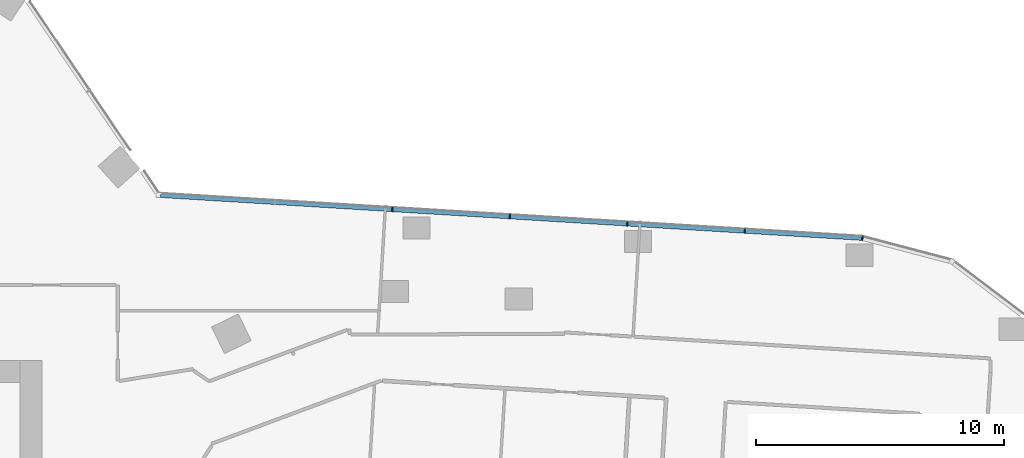
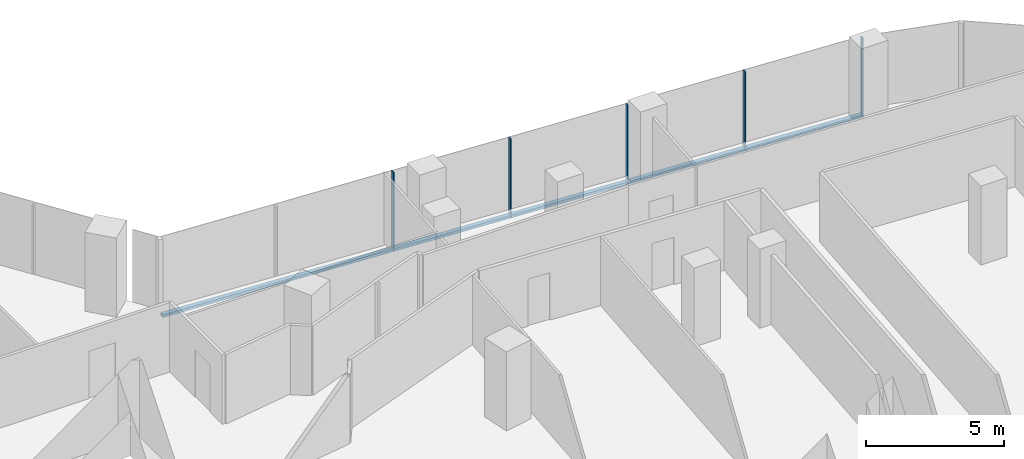
# One storey, part 14 of 32: 6 members, 2 elements without a shape of their own.
"""IFC4 building model written with IfcOpenShell, lengths in metres."""

from ifc_helpers import new_model, si_unit, direction, frame, origin, origin_2d, place, context, subcontext, project, spatial, rectangle, extrude, material, material_profile, profile_set, type_object, element, aggregate, save


model = new_model("IFC4")

# Units and contexts
model_context = context("Model", 3, precision=1e-05, world=origin(), true_north=direction((0.0, 1.0)))
body_context = subcontext(model_context, "Body", "Model", "MODEL_VIEW")
ifc_project = project(units=[si_unit("LENGTHUNIT", "METRE"), si_unit("AREAUNIT", "SQUARE_METRE"), si_unit("VOLUMEUNIT", "CUBIC_METRE"), si_unit("PLANEANGLEUNIT", "RADIAN"), si_unit("MASSUNIT", "GRAM", prefix="KILO")], contexts=[model_context])

# Site, building, storey
site_placement = place(None, origin())
site = spatial("IfcSite", under=ifc_project, at=site_placement, CompositionType="ELEMENT")
building_placement = place(site_placement, origin())
building = spatial("IfcBuilding", under=site, at=building_placement, Name="Orlundy Tower", CompositionType="ELEMENT")
storey_placement = place(building_placement, frame((0.0, 0.0, 152.60009765625)))
storey = spatial("IfcBuildingStorey", under=building, at=storey_placement, Name="L39", CompositionType="ELEMENT", Elevation=152.60009765625)

# Curtain wall, members
ifc_material_1 = material(Name="Aluminium bronze anodised", Category="aluminium")
curtain_wall_type = type_object("IfcCurtainWallType", Name="CW1 wall", PredefinedType="NOTDEFINED", material=ifc_material_1)
curtain_wall_1_placement = place(storey_placement, origin())
curtain_wall_1 = element("IfcCurtainWall", 1, at=curtain_wall_1_placement, inside=storey, type_object=curtain_wall_type, Name="CW1 run 018", PredefinedType="NOTDEFINED")
ifc_material_2 = material(Name="Aluminium bronze anodised", Category="aluminium")
ifc_material_profile_1 = material_profile(ifc_material_2, rectangle(XDim=0.179931640625, YDim=0.050048828125, at=origin_2d()), Name="CW1 mullion 50x180")
ifc_profile_set_1 = profile_set([ifc_material_profile_1], Name="Aluminium bronze anodised")
member_type_1 = type_object("IfcMemberType", Name="CW1 mullion 50x180", PredefinedType="MULLION", material=ifc_profile_set_1)
member_1_placement = place(storey_placement, frame((33.1455078125, 18.10009765625, -0.400146484375), z_axis=(0.0, 0.0, 1.0), x_axis=(0.061053768107, 0.998134478615, 0.0)))
member_1 = element("IfcMember", 2, at=member_1_placement, type_object=member_type_1, Name="CW1 mullion 53", PredefinedType="MULLION", context=body_context, shape_type="SweptSolid", body=[
    extrude(rectangle(XDim=0.179931640625, YDim=0.050048828125, at=origin_2d()), origin(), (0.0, 0.0, 1.0), 3.5),
])
member_2_placement = place(storey_placement, frame((37.89208984375, 17.809814453125, -0.400146484375), z_axis=(0.0, 0.0, 1.0), x_axis=(0.061053768107, 0.998134478615, 0.0)))
member_2 = element("IfcMember", 3, at=member_2_placement, type_object=member_type_1, Name="CW1 mullion 54", PredefinedType="MULLION", context=body_context, shape_type="SweptSolid", body=[
    extrude(rectangle(XDim=0.179931640625, YDim=0.050048828125, at=origin_2d()), origin(), (0.0, 0.0, 1.0), 3.5),
])
member_3_placement = place(storey_placement, frame((42.638427734375, 17.51953125, -0.400146484375), z_axis=(0.0, 0.0, 1.0), x_axis=(0.061053768107, 0.998134478615, 0.0)))
member_3 = element("IfcMember", 4, at=member_3_placement, type_object=member_type_1, Name="CW1 mullion 55", PredefinedType="MULLION", context=body_context, shape_type="SweptSolid", body=[
    extrude(rectangle(XDim=0.179931640625, YDim=0.050048828125, at=origin_2d()), origin(), (0.0, 0.0, 1.0), 3.5),
])
member_4_placement = place(storey_placement, frame((47.385009765625, 17.229248046875, -0.400146484375), z_axis=(0.0, 0.0, 1.0), x_axis=(0.061053768107, 0.998134478615, 0.0)))
member_4 = element("IfcMember", 5, at=member_4_placement, type_object=member_type_1, Name="CW1 mullion 56", PredefinedType="MULLION", context=body_context, shape_type="SweptSolid", body=[
    extrude(rectangle(XDim=0.179931640625, YDim=0.050048828125, at=origin_2d()), origin(), (0.0, 0.0, 1.0), 3.5),
])

# Curtain wall, member
curtain_wall_2_placement = place(storey_placement, origin())
curtain_wall_2 = element("IfcCurtainWall", 6, at=curtain_wall_2_placement, inside=storey, type_object=curtain_wall_type, Name="CW1 run 019", PredefinedType="NOTDEFINED")
member_5_placement = place(storey_placement, frame((52.140380859375, 16.938232421875, -0.400146484375), z_axis=(0.0, 0.0, 1.0), x_axis=(0.158644490134, 0.987335771534, 0.0)))
member_5 = element("IfcMember", 7, at=member_5_placement, type_object=member_type_1, Name="CW1 mullion 57", PredefinedType="MULLION", context=body_context, shape_type="SweptSolid", body=[
    extrude(rectangle(XDim=0.179931640625, YDim=0.050048828125, at=origin_2d()), origin(), (0.0, 0.0, 1.0), 3.5),
])
aggregate(curtain_wall_2, [member_5])

# Member
ifc_material_3 = material(Name="Aluminium bronze anodised", Category="aluminium")
ifc_material_profile_2 = material_profile(ifc_material_3, rectangle(XDim=0.179931640625, YDim=0.1201171875, at=origin_2d()), Name="CW1 transom 180x120")
ifc_profile_set_2 = profile_set([ifc_material_profile_2], Name="Aluminium bronze anodised")
member_type_2 = type_object("IfcMemberType", Name="CW1 transom 180x120", PredefinedType="USERDEFINED", material=ifc_profile_set_2)
member_6_placement = place(storey_placement, frame((23.78662109375, 18.672607421875, -0.340087890625), z_axis=(0.998134768789, -0.061049024028, 0.0), x_axis=(0.061049024028, 0.998134768789, 0.0)))
member_6 = element("IfcMember", 8, at=member_6_placement, type_object=member_type_2, Name="CW1 transom", ObjectType="TRANSOM", PredefinedType="USERDEFINED", context=body_context, shape_type="SweptSolid", body=[
    extrude(rectangle(XDim=0.179931640625, YDim=0.1201171875, at=origin_2d()), origin(), (0.0, 0.0, 1.0), 28.381591796875),
])

aggregate(curtain_wall_1, [member_1, member_2, member_3, member_4, member_6])

save(model, "model.ifc")
